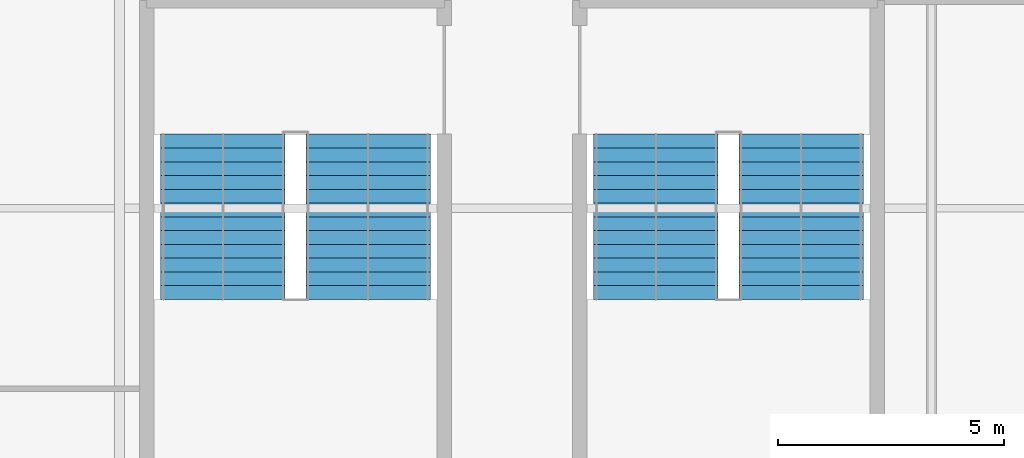
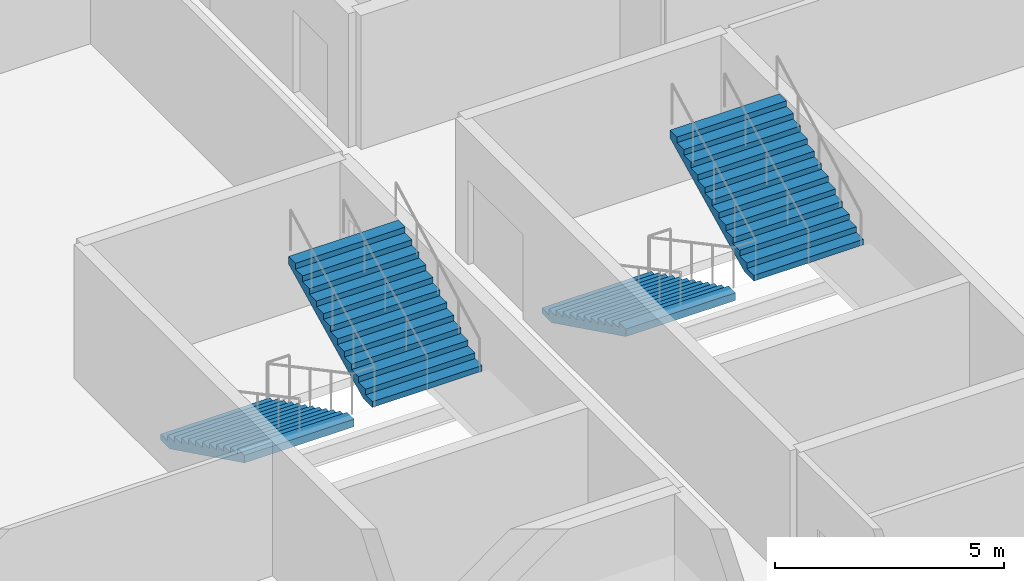
# One storey, part 46 of 55: 4 stair flights, 2 elements without a shape of their own.
"""IFC4 building model written with IfcOpenShell, lengths in metres."""

from ifc_helpers import new_model, si_unit, direction, frame, origin, place, context, subcontext, project, spatial, polygons, material, type_object, element, aggregate, save


model = new_model("IFC4")

# Units and contexts
model_context = context("Model", 3, precision=1e-05, world=origin(), true_north=direction((0.0, 1.0)))
body_context = subcontext(model_context, "Body", "Model", "MODEL_VIEW")
ifc_project = project(units=[si_unit("LENGTHUNIT", "METRE"), si_unit("AREAUNIT", "SQUARE_METRE"), si_unit("VOLUMEUNIT", "CUBIC_METRE"), si_unit("PLANEANGLEUNIT", "RADIAN"), si_unit("MASSUNIT", "GRAM", prefix="KILO")], contexts=[model_context])

# Site, building, storey
site_placement = place(None, origin())
site = spatial("IfcSite", under=ifc_project, at=site_placement, CompositionType="ELEMENT")
building_placement = place(site_placement, origin())
building = spatial("IfcBuilding", under=site, at=building_placement, Name="Kisiwana Market Hall", CompositionType="ELEMENT")
storey_placement = place(building_placement, frame((0.0, 0.0, 37.800048828125)))
storey = spatial("IfcBuildingStorey", under=building, at=storey_placement, Name="L08", CompositionType="ELEMENT", Elevation=37.800048828125)

# Stair, stair flights
ifc_material_1 = material(Name="Concrete C32/40", Category="concrete")
stair_type = type_object("IfcStairType", Name="ST-ESC-3900", PredefinedType="TWO_STRAIGHT_RUN_STAIR", material=ifc_material_1)
stair_1_placement = place(storey_placement, origin())
stair_1 = element("IfcStair", 1, at=stair_1_placement, inside=storey, type_object=stair_type, Name="Escape stair ST-E4-L08", PredefinedType="TWO_STRAIGHT_RUN_STAIR")
ifc_material_2 = material(Name="Concrete C32/40", Category="concrete")
stair_flight_type = type_object("IfcStairFlightType", Name="SF-ESC-3900", PredefinedType="STRAIGHT", material=ifc_material_2)
stair_flight_1_placement = place(storey_placement, frame((182.889892578125, 77.639892578125, 0.0), z_axis=(0.0, 0.0, 1.0), x_axis=(0.0, -1.0, 0.0)))
stair_flight_1 = element("IfcStairFlight", 2, at=stair_flight_1_placement, type_object=stair_flight_type, Name="ST-E4-L08 flight 1", NumberOfRisers=13, NumberOfTreads=12, PredefinedType="STRAIGHT", RiserHeight=0.15, TreadLength=0.305, context=body_context, shape_type="Tessellation", body=[
    polygons([(0.0, -1.380127, 0.0), (0.0, -0.690125, 0.0), (0.0, -0.000122, 0.0), (0.0, 0.68988, 0.0), (0.0, 1.379883, 0.0), (0.0, -1.380127, 0.149902), (0.0, -0.690125, 0.149902), (0.0, -0.000122, 0.149902), (0.0, 0.68988, 0.149902), (0.0, 1.379883, 0.149902), (0.304932, -1.380127, 0.149902), (0.304932, -0.690125, 0.149902), (0.304932, -0.000122, 0.149902), (0.304932, 0.68988, 0.149902), (0.304932, 1.379883, 0.149902), (0.304932, -1.380127, 0.300049), (0.304932, -0.690125, 0.300049), (0.304932, -0.000122, 0.300049), (0.304932, 0.68988, 0.300049), (0.304932, 1.379883, 0.300049), (0.610107, -1.380127, 0.300049), (0.610107, -0.690125, 0.300049), (0.610107, -0.000122, 0.300049), (0.610107, 0.68988, 0.300049), (0.610107, 1.379883, 0.300049), (0.610107, -1.380127, 0.449951), (0.610107, -0.690125, 0.449951), (0.610107, -0.000122, 0.449951), (0.610107, 0.68988, 0.449951), (0.610107, 1.379883, 0.449951), (0.915039, -1.380127, 0.449951), (0.915039, -0.690125, 0.449951), (0.915039, -0.000122, 0.449951), (0.915039, 0.68988, 0.449951), (0.915039, 1.379883, 0.449951), (0.915039, -1.380127, 0.600098), (0.915039, -0.690125, 0.600098), (0.915039, -0.000122, 0.600098), (0.915039, 0.68988, 0.600098), (0.915039, 1.379883, 0.600098), (1.219971, -1.380127, 0.600098), (1.219971, -0.690125, 0.600098), (1.219971, -0.000122, 0.600098), (1.219971, 0.68988, 0.600098), (1.219971, 1.379883, 0.600098), (1.219971, -1.380127, 0.75), (1.219971, -0.690125, 0.75), (1.219971, -0.000122, 0.75), (1.219971, 0.68988, 0.75), (1.219971, 1.379883, 0.75), (1.524902, -1.380127, 0.75), (1.524902, -0.690125, 0.75), (1.524902, -0.000122, 0.75), (1.524902, 0.68988, 0.75), (1.524902, 1.379883, 0.75), (1.524902, -1.380127, 0.899902), (1.524902, -0.690125, 0.899902), (1.524902, -0.000122, 0.899902), (1.524902, 0.68988, 0.899902), (1.524902, 1.379883, 0.899902), (1.830078, -1.380127, 0.899902), (1.830078, -0.690125, 0.899902), (1.830078, -0.000122, 0.899902), (1.830078, 0.68988, 0.899902), (1.830078, 1.379883, 0.899902), (1.830078, -1.380127, 1.050049), (1.830078, -0.690125, 1.050049), (1.830078, -0.000122, 1.050049), (1.830078, 0.68988, 1.050049), (1.830078, 1.379883, 1.050049), (2.13501, -1.380127, 1.050049), (2.13501, -0.690125, 1.050049), (2.13501, -0.000122, 1.050049), (2.13501, 0.68988, 1.050049), (2.13501, 1.379883, 1.050049), (2.13501, -1.380127, 1.199951), (2.13501, -0.690125, 1.199951), (2.13501, -0.000122, 1.199951), (2.13501, 0.68988, 1.199951), (2.13501, 1.379883, 1.199951), (2.439941, -1.380127, 1.199951), (2.439941, -0.690125, 1.199951), (2.439941, -0.000122, 1.199951), (2.439941, 0.68988, 1.199951), (2.439941, 1.379883, 1.199951), (2.439941, -1.380127, 1.350098), (2.439941, -0.690125, 1.350098), (2.439941, -0.000122, 1.350098), (2.439941, 0.68988, 1.350098), (2.439941, 1.379883, 1.350098), (2.745117, -1.380127, 1.350098), (2.745117, -0.690125, 1.350098), (2.745117, -0.000122, 1.350098), (2.745117, 0.68988, 1.350098), (2.745117, 1.379883, 1.350098), (2.745117, -1.380127, 1.5), (2.745117, -0.690125, 1.5), (2.745117, -0.000122, 1.5), (2.745117, 0.68988, 1.5), (2.745117, 1.379883, 1.5), (3.050049, -1.380127, 1.5), (3.050049, -0.690125, 1.5), (3.050049, -0.000122, 1.5), (3.050049, 0.68988, 1.5), (3.050049, 1.379883, 1.5), (3.050049, -1.380127, 1.649902), (3.050049, -0.690125, 1.649902), (3.050049, -0.000122, 1.649902), (3.050049, 0.68988, 1.649902), (3.050049, 1.379883, 1.649902), (3.35498, -1.380127, 1.649902), (3.35498, -0.690125, 1.649902), (3.35498, -0.000122, 1.649902), (3.35498, 0.68988, 1.649902), (3.35498, 1.379883, 1.649902), (3.35498, -1.380127, 1.800049), (3.35498, -0.690125, 1.800049), (3.35498, -0.000122, 1.800049), (3.35498, 0.68988, 1.800049), (3.35498, 1.379883, 1.800049), (3.659912, -1.380127, 1.800049), (3.659912, -0.690125, 1.800049), (3.659912, -0.000122, 1.800049), (3.659912, 0.68988, 1.800049), (3.659912, 1.379883, 1.800049), (3.659912, -1.380127, 1.599365), (3.659912, -0.690125, 1.599365), (3.659912, -0.000122, 1.599365), (3.659912, 0.68988, 1.599365), (3.659912, 1.379883, 1.599365), (0.407715, -1.380127, 0.0), (0.407715, -0.690125, 0.0), (0.407715, -0.000122, 0.0), (0.407715, 0.68988, 0.0), (0.407715, 1.379883, 0.0)], [[[1, 6, 7, 2]], [[2, 7, 8, 3]], [[3, 8, 9, 4]], [[4, 9, 10, 5]], [[6, 11, 12, 7]], [[7, 12, 13, 8]], [[8, 13, 14, 9]], [[9, 14, 15, 10]], [[11, 16, 17, 12]], [[12, 17, 18, 13]], [[13, 18, 19, 14]], [[14, 19, 20, 15]], [[16, 21, 22, 17]], [[17, 22, 23, 18]], [[18, 23, 24, 19]], [[19, 24, 25, 20]], [[21, 26, 27, 22]], [[22, 27, 28, 23]], [[23, 28, 29, 24]], [[24, 29, 30, 25]], [[26, 31, 32, 27]], [[27, 32, 33, 28]], [[28, 33, 34, 29]], [[29, 34, 35, 30]], [[31, 36, 37, 32]], [[32, 37, 38, 33]], [[33, 38, 39, 34]], [[34, 39, 40, 35]], [[36, 41, 42, 37]], [[37, 42, 43, 38]], [[38, 43, 44, 39]], [[39, 44, 45, 40]], [[41, 46, 47, 42]], [[42, 47, 48, 43]], [[43, 48, 49, 44]], [[44, 49, 50, 45]], [[46, 51, 52, 47]], [[47, 52, 53, 48]], [[48, 53, 54, 49]], [[49, 54, 55, 50]], [[51, 56, 57, 52]], [[52, 57, 58, 53]], [[53, 58, 59, 54]], [[54, 59, 60, 55]], [[56, 61, 62, 57]], [[57, 62, 63, 58]], [[58, 63, 64, 59]], [[59, 64, 65, 60]], [[61, 66, 67, 62]], [[62, 67, 68, 63]], [[63, 68, 69, 64]], [[64, 69, 70, 65]], [[66, 71, 72, 67]], [[67, 72, 73, 68]], [[68, 73, 74, 69]], [[69, 74, 75, 70]], [[71, 76, 77, 72]], [[72, 77, 78, 73]], [[73, 78, 79, 74]], [[74, 79, 80, 75]], [[76, 81, 82, 77]], [[77, 82, 83, 78]], [[78, 83, 84, 79]], [[79, 84, 85, 80]], [[81, 86, 87, 82]], [[82, 87, 88, 83]], [[83, 88, 89, 84]], [[84, 89, 90, 85]], [[86, 91, 92, 87]], [[87, 92, 93, 88]], [[88, 93, 94, 89]], [[89, 94, 95, 90]], [[91, 96, 97, 92]], [[92, 97, 98, 93]], [[93, 98, 99, 94]], [[94, 99, 100, 95]], [[96, 101, 102, 97]], [[97, 102, 103, 98]], [[98, 103, 104, 99]], [[99, 104, 105, 100]], [[101, 106, 107, 102]], [[102, 107, 108, 103]], [[103, 108, 109, 104]], [[104, 109, 110, 105]], [[106, 111, 112, 107]], [[107, 112, 113, 108]], [[108, 113, 114, 109]], [[109, 114, 115, 110]], [[111, 116, 117, 112]], [[112, 117, 118, 113]], [[113, 118, 119, 114]], [[114, 119, 120, 115]], [[116, 121, 122, 117]], [[117, 122, 123, 118]], [[118, 123, 124, 119]], [[119, 124, 125, 120]], [[121, 126, 127, 122]], [[122, 127, 128, 123]], [[123, 128, 129, 124]], [[124, 129, 130, 125]], [[126, 131, 132, 127]], [[127, 132, 133, 128]], [[128, 133, 134, 129]], [[129, 134, 135, 130]], [[131, 1, 2, 132]], [[132, 2, 3, 133]], [[133, 3, 4, 134]], [[134, 4, 5, 135]], [[131, 126, 121, 116, 111, 106, 101, 96, 91, 86, 81, 76, 71, 66, 61, 56, 51, 46, 41, 36, 31, 26, 21, 16, 11, 6, 1]], [[5, 10, 15, 20, 25, 30, 35, 40, 45, 50, 55, 60, 65, 70, 75, 80, 85, 90, 95, 100, 105, 110, 115, 120, 125, 130, 135]]], closed=True),
])
stair_flight_2_placement = place(storey_placement, frame((186.110107421875, 73.97998046875, 1.949951171875), z_axis=(0.0, 0.0, 1.0), x_axis=(0.0, 1.0, 0.0)))
stair_flight_2 = element("IfcStairFlight", 3, at=stair_flight_2_placement, type_object=stair_flight_type, Name="ST-E4-L08 flight 2", NumberOfRisers=13, NumberOfTreads=12, PredefinedType="STRAIGHT", RiserHeight=0.15, TreadLength=0.305, context=body_context, shape_type="Tessellation", body=[
    polygons([(0.0, -1.380127, 0.0), (0.0, -0.690125, 0.0), (0.0, -0.000122, 0.0), (0.0, 0.68988, 0.0), (0.0, 1.379883, 0.0), (0.0, -1.380127, 0.149902), (0.0, -0.690125, 0.149902), (0.0, -0.000122, 0.149902), (0.0, 0.68988, 0.149902), (0.0, 1.379883, 0.149902), (0.304932, -1.380127, 0.149902), (0.304932, -0.690125, 0.149902), (0.304932, -0.000122, 0.149902), (0.304932, 0.68988, 0.149902), (0.304932, 1.379883, 0.149902), (0.304932, -1.380127, 0.300049), (0.304932, -0.690125, 0.300049), (0.304932, -0.000122, 0.300049), (0.304932, 0.68988, 0.300049), (0.304932, 1.379883, 0.300049), (0.610107, -1.380127, 0.300049), (0.610107, -0.690125, 0.300049), (0.610107, -0.000122, 0.300049), (0.610107, 0.68988, 0.300049), (0.610107, 1.379883, 0.300049), (0.610107, -1.380127, 0.449951), (0.610107, -0.690125, 0.449951), (0.610107, -0.000122, 0.449951), (0.610107, 0.68988, 0.449951), (0.610107, 1.379883, 0.449951), (0.915039, -1.380127, 0.449951), (0.915039, -0.690125, 0.449951), (0.915039, -0.000122, 0.449951), (0.915039, 0.68988, 0.449951), (0.915039, 1.379883, 0.449951), (0.915039, -1.380127, 0.600098), (0.915039, -0.690125, 0.600098), (0.915039, -0.000122, 0.600098), (0.915039, 0.68988, 0.600098), (0.915039, 1.379883, 0.600098), (1.219971, -1.380127, 0.600098), (1.219971, -0.690125, 0.600098), (1.219971, -0.000122, 0.600098), (1.219971, 0.68988, 0.600098), (1.219971, 1.379883, 0.600098), (1.219971, -1.380127, 0.75), (1.219971, -0.690125, 0.75), (1.219971, -0.000122, 0.75), (1.219971, 0.68988, 0.75), (1.219971, 1.379883, 0.75), (1.524902, -1.380127, 0.75), (1.524902, -0.690125, 0.75), (1.524902, -0.000122, 0.75), (1.524902, 0.68988, 0.75), (1.524902, 1.379883, 0.75), (1.524902, -1.380127, 0.899902), (1.524902, -0.690125, 0.899902), (1.524902, -0.000122, 0.899902), (1.524902, 0.68988, 0.899902), (1.524902, 1.379883, 0.899902), (1.830078, -1.380127, 0.899902), (1.830078, -0.690125, 0.899902), (1.830078, -0.000122, 0.899902), (1.830078, 0.68988, 0.899902), (1.830078, 1.379883, 0.899902), (1.830078, -1.380127, 1.050049), (1.830078, -0.690125, 1.050049), (1.830078, -0.000122, 1.050049), (1.830078, 0.68988, 1.050049), (1.830078, 1.379883, 1.050049), (2.13501, -1.380127, 1.050049), (2.13501, -0.690125, 1.050049), (2.13501, -0.000122, 1.050049), (2.13501, 0.68988, 1.050049), (2.13501, 1.379883, 1.050049), (2.13501, -1.380127, 1.199951), (2.13501, -0.690125, 1.199951), (2.13501, -0.000122, 1.199951), (2.13501, 0.68988, 1.199951), (2.13501, 1.379883, 1.199951), (2.439941, -1.380127, 1.199951), (2.439941, -0.690125, 1.199951), (2.439941, -0.000122, 1.199951), (2.439941, 0.68988, 1.199951), (2.439941, 1.379883, 1.199951), (2.439941, -1.380127, 1.350098), (2.439941, -0.690125, 1.350098), (2.439941, -0.000122, 1.350098), (2.439941, 0.68988, 1.350098), (2.439941, 1.379883, 1.350098), (2.745117, -1.380127, 1.350098), (2.745117, -0.690125, 1.350098), (2.745117, -0.000122, 1.350098), (2.745117, 0.68988, 1.350098), (2.745117, 1.379883, 1.350098), (2.745117, -1.380127, 1.5), (2.745117, -0.690125, 1.5), (2.745117, -0.000122, 1.5), (2.745117, 0.68988, 1.5), (2.745117, 1.379883, 1.5), (3.050049, -1.380127, 1.5), (3.050049, -0.690125, 1.5), (3.050049, -0.000122, 1.5), (3.050049, 0.68988, 1.5), (3.050049, 1.379883, 1.5), (3.050049, -1.380127, 1.649902), (3.050049, -0.690125, 1.649902), (3.050049, -0.000122, 1.649902), (3.050049, 0.68988, 1.649902), (3.050049, 1.379883, 1.649902), (3.35498, -1.380127, 1.649902), (3.35498, -0.690125, 1.649902), (3.35498, -0.000122, 1.649902), (3.35498, 0.68988, 1.649902), (3.35498, 1.379883, 1.649902), (3.35498, -1.380127, 1.800049), (3.35498, -0.690125, 1.800049), (3.35498, -0.000122, 1.800049), (3.35498, 0.68988, 1.800049), (3.35498, 1.379883, 1.800049), (3.659912, -1.380127, 1.800049), (3.659912, -0.690125, 1.800049), (3.659912, -0.000122, 1.800049), (3.659912, 0.68988, 1.800049), (3.659912, 1.379883, 1.800049), (3.659912, -1.380127, 1.599365), (3.659912, -0.690125, 1.599365), (3.659912, -0.000122, 1.599365), (3.659912, 0.68988, 1.599365), (3.659912, 1.379883, 1.599365), (0.407715, -1.380127, 0.0), (0.407715, -0.690125, 0.0), (0.407715, -0.000122, 0.0), (0.407715, 0.68988, 0.0), (0.407715, 1.379883, 0.0)], [[[1, 6, 7, 2]], [[2, 7, 8, 3]], [[3, 8, 9, 4]], [[4, 9, 10, 5]], [[6, 11, 12, 7]], [[7, 12, 13, 8]], [[8, 13, 14, 9]], [[9, 14, 15, 10]], [[11, 16, 17, 12]], [[12, 17, 18, 13]], [[13, 18, 19, 14]], [[14, 19, 20, 15]], [[16, 21, 22, 17]], [[17, 22, 23, 18]], [[18, 23, 24, 19]], [[19, 24, 25, 20]], [[21, 26, 27, 22]], [[22, 27, 28, 23]], [[23, 28, 29, 24]], [[24, 29, 30, 25]], [[26, 31, 32, 27]], [[27, 32, 33, 28]], [[28, 33, 34, 29]], [[29, 34, 35, 30]], [[31, 36, 37, 32]], [[32, 37, 38, 33]], [[33, 38, 39, 34]], [[34, 39, 40, 35]], [[36, 41, 42, 37]], [[37, 42, 43, 38]], [[38, 43, 44, 39]], [[39, 44, 45, 40]], [[41, 46, 47, 42]], [[42, 47, 48, 43]], [[43, 48, 49, 44]], [[44, 49, 50, 45]], [[46, 51, 52, 47]], [[47, 52, 53, 48]], [[48, 53, 54, 49]], [[49, 54, 55, 50]], [[51, 56, 57, 52]], [[52, 57, 58, 53]], [[53, 58, 59, 54]], [[54, 59, 60, 55]], [[56, 61, 62, 57]], [[57, 62, 63, 58]], [[58, 63, 64, 59]], [[59, 64, 65, 60]], [[61, 66, 67, 62]], [[62, 67, 68, 63]], [[63, 68, 69, 64]], [[64, 69, 70, 65]], [[66, 71, 72, 67]], [[67, 72, 73, 68]], [[68, 73, 74, 69]], [[69, 74, 75, 70]], [[71, 76, 77, 72]], [[72, 77, 78, 73]], [[73, 78, 79, 74]], [[74, 79, 80, 75]], [[76, 81, 82, 77]], [[77, 82, 83, 78]], [[78, 83, 84, 79]], [[79, 84, 85, 80]], [[81, 86, 87, 82]], [[82, 87, 88, 83]], [[83, 88, 89, 84]], [[84, 89, 90, 85]], [[86, 91, 92, 87]], [[87, 92, 93, 88]], [[88, 93, 94, 89]], [[89, 94, 95, 90]], [[91, 96, 97, 92]], [[92, 97, 98, 93]], [[93, 98, 99, 94]], [[94, 99, 100, 95]], [[96, 101, 102, 97]], [[97, 102, 103, 98]], [[98, 103, 104, 99]], [[99, 104, 105, 100]], [[101, 106, 107, 102]], [[102, 107, 108, 103]], [[103, 108, 109, 104]], [[104, 109, 110, 105]], [[106, 111, 112, 107]], [[107, 112, 113, 108]], [[108, 113, 114, 109]], [[109, 114, 115, 110]], [[111, 116, 117, 112]], [[112, 117, 118, 113]], [[113, 118, 119, 114]], [[114, 119, 120, 115]], [[116, 121, 122, 117]], [[117, 122, 123, 118]], [[118, 123, 124, 119]], [[119, 124, 125, 120]], [[121, 126, 127, 122]], [[122, 127, 128, 123]], [[123, 128, 129, 124]], [[124, 129, 130, 125]], [[126, 131, 132, 127]], [[127, 132, 133, 128]], [[128, 133, 134, 129]], [[129, 134, 135, 130]], [[131, 1, 2, 132]], [[132, 2, 3, 133]], [[133, 3, 4, 134]], [[134, 4, 5, 135]], [[131, 126, 121, 116, 111, 106, 101, 96, 91, 86, 81, 76, 71, 66, 61, 56, 51, 46, 41, 36, 31, 26, 21, 16, 11, 6, 1]], [[5, 10, 15, 20, 25, 30, 35, 40, 45, 50, 55, 60, 65, 70, 75, 80, 85, 90, 95, 100, 105, 110, 115, 120, 125, 130, 135]]], closed=True),
])
aggregate(stair_1, [stair_flight_1, stair_flight_2])

stair_2_placement = place(storey_placement, origin())
stair_2 = element("IfcStair", 4, at=stair_2_placement, inside=storey, type_object=stair_type, Name="Escape stair ST-E8-L08", PredefinedType="TWO_STRAIGHT_RUN_STAIR")
stair_flight_3_placement = place(storey_placement, frame((173.2900390625, 77.639892578125, 0.0), z_axis=(0.0, 0.0, 1.0), x_axis=(0.0, -1.0, 0.0)))
stair_flight_3 = element("IfcStairFlight", 5, at=stair_flight_3_placement, type_object=stair_flight_type, Name="ST-E8-L08 flight 1", NumberOfRisers=13, NumberOfTreads=12, PredefinedType="STRAIGHT", RiserHeight=0.15, TreadLength=0.305, context=body_context, shape_type="Tessellation", body=[
    polygons([(0.0, -1.380127, 0.0), (0.0, -0.690125, 0.0), (0.0, -0.000122, 0.0), (0.0, 0.68988, 0.0), (0.0, 1.379883, 0.0), (0.0, -1.380127, 0.149902), (0.0, -0.690125, 0.149902), (0.0, -0.000122, 0.149902), (0.0, 0.68988, 0.149902), (0.0, 1.379883, 0.149902), (0.304932, -1.380127, 0.149902), (0.304932, -0.690125, 0.149902), (0.304932, -0.000122, 0.149902), (0.304932, 0.68988, 0.149902), (0.304932, 1.379883, 0.149902), (0.304932, -1.380127, 0.300049), (0.304932, -0.690125, 0.300049), (0.304932, -0.000122, 0.300049), (0.304932, 0.68988, 0.300049), (0.304932, 1.379883, 0.300049), (0.610107, -1.380127, 0.300049), (0.610107, -0.690125, 0.300049), (0.610107, -0.000122, 0.300049), (0.610107, 0.68988, 0.300049), (0.610107, 1.379883, 0.300049), (0.610107, -1.380127, 0.449951), (0.610107, -0.690125, 0.449951), (0.610107, -0.000122, 0.449951), (0.610107, 0.68988, 0.449951), (0.610107, 1.379883, 0.449951), (0.915039, -1.380127, 0.449951), (0.915039, -0.690125, 0.449951), (0.915039, -0.000122, 0.449951), (0.915039, 0.68988, 0.449951), (0.915039, 1.379883, 0.449951), (0.915039, -1.380127, 0.600098), (0.915039, -0.690125, 0.600098), (0.915039, -0.000122, 0.600098), (0.915039, 0.68988, 0.600098), (0.915039, 1.379883, 0.600098), (1.219971, -1.380127, 0.600098), (1.219971, -0.690125, 0.600098), (1.219971, -0.000122, 0.600098), (1.219971, 0.68988, 0.600098), (1.219971, 1.379883, 0.600098), (1.219971, -1.380127, 0.75), (1.219971, -0.690125, 0.75), (1.219971, -0.000122, 0.75), (1.219971, 0.68988, 0.75), (1.219971, 1.379883, 0.75), (1.524902, -1.380127, 0.75), (1.524902, -0.690125, 0.75), (1.524902, -0.000122, 0.75), (1.524902, 0.68988, 0.75), (1.524902, 1.379883, 0.75), (1.524902, -1.380127, 0.899902), (1.524902, -0.690125, 0.899902), (1.524902, -0.000122, 0.899902), (1.524902, 0.68988, 0.899902), (1.524902, 1.379883, 0.899902), (1.830078, -1.380127, 0.899902), (1.830078, -0.690125, 0.899902), (1.830078, -0.000122, 0.899902), (1.830078, 0.68988, 0.899902), (1.830078, 1.379883, 0.899902), (1.830078, -1.380127, 1.050049), (1.830078, -0.690125, 1.050049), (1.830078, -0.000122, 1.050049), (1.830078, 0.68988, 1.050049), (1.830078, 1.379883, 1.050049), (2.13501, -1.380127, 1.050049), (2.13501, -0.690125, 1.050049), (2.13501, -0.000122, 1.050049), (2.13501, 0.68988, 1.050049), (2.13501, 1.379883, 1.050049), (2.13501, -1.380127, 1.199951), (2.13501, -0.690125, 1.199951), (2.13501, -0.000122, 1.199951), (2.13501, 0.68988, 1.199951), (2.13501, 1.379883, 1.199951), (2.439941, -1.380127, 1.199951), (2.439941, -0.690125, 1.199951), (2.439941, -0.000122, 1.199951), (2.439941, 0.68988, 1.199951), (2.439941, 1.379883, 1.199951), (2.439941, -1.380127, 1.350098), (2.439941, -0.690125, 1.350098), (2.439941, -0.000122, 1.350098), (2.439941, 0.68988, 1.350098), (2.439941, 1.379883, 1.350098), (2.745117, -1.380127, 1.350098), (2.745117, -0.690125, 1.350098), (2.745117, -0.000122, 1.350098), (2.745117, 0.68988, 1.350098), (2.745117, 1.379883, 1.350098), (2.745117, -1.380127, 1.5), (2.745117, -0.690125, 1.5), (2.745117, -0.000122, 1.5), (2.745117, 0.68988, 1.5), (2.745117, 1.379883, 1.5), (3.050049, -1.380127, 1.5), (3.050049, -0.690125, 1.5), (3.050049, -0.000122, 1.5), (3.050049, 0.68988, 1.5), (3.050049, 1.379883, 1.5), (3.050049, -1.380127, 1.649902), (3.050049, -0.690125, 1.649902), (3.050049, -0.000122, 1.649902), (3.050049, 0.68988, 1.649902), (3.050049, 1.379883, 1.649902), (3.35498, -1.380127, 1.649902), (3.35498, -0.690125, 1.649902), (3.35498, -0.000122, 1.649902), (3.35498, 0.68988, 1.649902), (3.35498, 1.379883, 1.649902), (3.35498, -1.380127, 1.800049), (3.35498, -0.690125, 1.800049), (3.35498, -0.000122, 1.800049), (3.35498, 0.68988, 1.800049), (3.35498, 1.379883, 1.800049), (3.659912, -1.380127, 1.800049), (3.659912, -0.690125, 1.800049), (3.659912, -0.000122, 1.800049), (3.659912, 0.68988, 1.800049), (3.659912, 1.379883, 1.800049), (3.659912, -1.380127, 1.599365), (3.659912, -0.690125, 1.599365), (3.659912, -0.000122, 1.599365), (3.659912, 0.68988, 1.599365), (3.659912, 1.379883, 1.599365), (0.407715, -1.380127, 0.0), (0.407715, -0.690125, 0.0), (0.407715, -0.000122, 0.0), (0.407715, 0.68988, 0.0), (0.407715, 1.379883, 0.0)], [[[1, 6, 7, 2]], [[2, 7, 8, 3]], [[3, 8, 9, 4]], [[4, 9, 10, 5]], [[6, 11, 12, 7]], [[7, 12, 13, 8]], [[8, 13, 14, 9]], [[9, 14, 15, 10]], [[11, 16, 17, 12]], [[12, 17, 18, 13]], [[13, 18, 19, 14]], [[14, 19, 20, 15]], [[16, 21, 22, 17]], [[17, 22, 23, 18]], [[18, 23, 24, 19]], [[19, 24, 25, 20]], [[21, 26, 27, 22]], [[22, 27, 28, 23]], [[23, 28, 29, 24]], [[24, 29, 30, 25]], [[26, 31, 32, 27]], [[27, 32, 33, 28]], [[28, 33, 34, 29]], [[29, 34, 35, 30]], [[31, 36, 37, 32]], [[32, 37, 38, 33]], [[33, 38, 39, 34]], [[34, 39, 40, 35]], [[36, 41, 42, 37]], [[37, 42, 43, 38]], [[38, 43, 44, 39]], [[39, 44, 45, 40]], [[41, 46, 47, 42]], [[42, 47, 48, 43]], [[43, 48, 49, 44]], [[44, 49, 50, 45]], [[46, 51, 52, 47]], [[47, 52, 53, 48]], [[48, 53, 54, 49]], [[49, 54, 55, 50]], [[51, 56, 57, 52]], [[52, 57, 58, 53]], [[53, 58, 59, 54]], [[54, 59, 60, 55]], [[56, 61, 62, 57]], [[57, 62, 63, 58]], [[58, 63, 64, 59]], [[59, 64, 65, 60]], [[61, 66, 67, 62]], [[62, 67, 68, 63]], [[63, 68, 69, 64]], [[64, 69, 70, 65]], [[66, 71, 72, 67]], [[67, 72, 73, 68]], [[68, 73, 74, 69]], [[69, 74, 75, 70]], [[71, 76, 77, 72]], [[72, 77, 78, 73]], [[73, 78, 79, 74]], [[74, 79, 80, 75]], [[76, 81, 82, 77]], [[77, 82, 83, 78]], [[78, 83, 84, 79]], [[79, 84, 85, 80]], [[81, 86, 87, 82]], [[82, 87, 88, 83]], [[83, 88, 89, 84]], [[84, 89, 90, 85]], [[86, 91, 92, 87]], [[87, 92, 93, 88]], [[88, 93, 94, 89]], [[89, 94, 95, 90]], [[91, 96, 97, 92]], [[92, 97, 98, 93]], [[93, 98, 99, 94]], [[94, 99, 100, 95]], [[96, 101, 102, 97]], [[97, 102, 103, 98]], [[98, 103, 104, 99]], [[99, 104, 105, 100]], [[101, 106, 107, 102]], [[102, 107, 108, 103]], [[103, 108, 109, 104]], [[104, 109, 110, 105]], [[106, 111, 112, 107]], [[107, 112, 113, 108]], [[108, 113, 114, 109]], [[109, 114, 115, 110]], [[111, 116, 117, 112]], [[112, 117, 118, 113]], [[113, 118, 119, 114]], [[114, 119, 120, 115]], [[116, 121, 122, 117]], [[117, 122, 123, 118]], [[118, 123, 124, 119]], [[119, 124, 125, 120]], [[121, 126, 127, 122]], [[122, 127, 128, 123]], [[123, 128, 129, 124]], [[124, 129, 130, 125]], [[126, 131, 132, 127]], [[127, 132, 133, 128]], [[128, 133, 134, 129]], [[129, 134, 135, 130]], [[131, 1, 2, 132]], [[132, 2, 3, 133]], [[133, 3, 4, 134]], [[134, 4, 5, 135]], [[131, 126, 121, 116, 111, 106, 101, 96, 91, 86, 81, 76, 71, 66, 61, 56, 51, 46, 41, 36, 31, 26, 21, 16, 11, 6, 1]], [[5, 10, 15, 20, 25, 30, 35, 40, 45, 50, 55, 60, 65, 70, 75, 80, 85, 90, 95, 100, 105, 110, 115, 120, 125, 130, 135]]], closed=True),
])
stair_flight_4_placement = place(storey_placement, frame((176.510009765625, 73.97998046875, 1.949951171875), z_axis=(0.0, 0.0, 1.0), x_axis=(0.0, 1.0, 0.0)))
stair_flight_4 = element("IfcStairFlight", 6, at=stair_flight_4_placement, type_object=stair_flight_type, Name="ST-E8-L08 flight 2", NumberOfRisers=13, NumberOfTreads=12, PredefinedType="STRAIGHT", RiserHeight=0.15, TreadLength=0.305, context=body_context, shape_type="Tessellation", body=[
    polygons([(0.0, -1.380127, 0.0), (0.0, -0.690125, 0.0), (0.0, -0.000122, 0.0), (0.0, 0.68988, 0.0), (0.0, 1.379883, 0.0), (0.0, -1.380127, 0.149902), (0.0, -0.690125, 0.149902), (0.0, -0.000122, 0.149902), (0.0, 0.68988, 0.149902), (0.0, 1.379883, 0.149902), (0.304932, -1.380127, 0.149902), (0.304932, -0.690125, 0.149902), (0.304932, -0.000122, 0.149902), (0.304932, 0.68988, 0.149902), (0.304932, 1.379883, 0.149902), (0.304932, -1.380127, 0.300049), (0.304932, -0.690125, 0.300049), (0.304932, -0.000122, 0.300049), (0.304932, 0.68988, 0.300049), (0.304932, 1.379883, 0.300049), (0.610107, -1.380127, 0.300049), (0.610107, -0.690125, 0.300049), (0.610107, -0.000122, 0.300049), (0.610107, 0.68988, 0.300049), (0.610107, 1.379883, 0.300049), (0.610107, -1.380127, 0.449951), (0.610107, -0.690125, 0.449951), (0.610107, -0.000122, 0.449951), (0.610107, 0.68988, 0.449951), (0.610107, 1.379883, 0.449951), (0.915039, -1.380127, 0.449951), (0.915039, -0.690125, 0.449951), (0.915039, -0.000122, 0.449951), (0.915039, 0.68988, 0.449951), (0.915039, 1.379883, 0.449951), (0.915039, -1.380127, 0.600098), (0.915039, -0.690125, 0.600098), (0.915039, -0.000122, 0.600098), (0.915039, 0.68988, 0.600098), (0.915039, 1.379883, 0.600098), (1.219971, -1.380127, 0.600098), (1.219971, -0.690125, 0.600098), (1.219971, -0.000122, 0.600098), (1.219971, 0.68988, 0.600098), (1.219971, 1.379883, 0.600098), (1.219971, -1.380127, 0.75), (1.219971, -0.690125, 0.75), (1.219971, -0.000122, 0.75), (1.219971, 0.68988, 0.75), (1.219971, 1.379883, 0.75), (1.524902, -1.380127, 0.75), (1.524902, -0.690125, 0.75), (1.524902, -0.000122, 0.75), (1.524902, 0.68988, 0.75), (1.524902, 1.379883, 0.75), (1.524902, -1.380127, 0.899902), (1.524902, -0.690125, 0.899902), (1.524902, -0.000122, 0.899902), (1.524902, 0.68988, 0.899902), (1.524902, 1.379883, 0.899902), (1.830078, -1.380127, 0.899902), (1.830078, -0.690125, 0.899902), (1.830078, -0.000122, 0.899902), (1.830078, 0.68988, 0.899902), (1.830078, 1.379883, 0.899902), (1.830078, -1.380127, 1.050049), (1.830078, -0.690125, 1.050049), (1.830078, -0.000122, 1.050049), (1.830078, 0.68988, 1.050049), (1.830078, 1.379883, 1.050049), (2.13501, -1.380127, 1.050049), (2.13501, -0.690125, 1.050049), (2.13501, -0.000122, 1.050049), (2.13501, 0.68988, 1.050049), (2.13501, 1.379883, 1.050049), (2.13501, -1.380127, 1.199951), (2.13501, -0.690125, 1.199951), (2.13501, -0.000122, 1.199951), (2.13501, 0.68988, 1.199951), (2.13501, 1.379883, 1.199951), (2.439941, -1.380127, 1.199951), (2.439941, -0.690125, 1.199951), (2.439941, -0.000122, 1.199951), (2.439941, 0.68988, 1.199951), (2.439941, 1.379883, 1.199951), (2.439941, -1.380127, 1.350098), (2.439941, -0.690125, 1.350098), (2.439941, -0.000122, 1.350098), (2.439941, 0.68988, 1.350098), (2.439941, 1.379883, 1.350098), (2.745117, -1.380127, 1.350098), (2.745117, -0.690125, 1.350098), (2.745117, -0.000122, 1.350098), (2.745117, 0.68988, 1.350098), (2.745117, 1.379883, 1.350098), (2.745117, -1.380127, 1.5), (2.745117, -0.690125, 1.5), (2.745117, -0.000122, 1.5), (2.745117, 0.68988, 1.5), (2.745117, 1.379883, 1.5), (3.050049, -1.380127, 1.5), (3.050049, -0.690125, 1.5), (3.050049, -0.000122, 1.5), (3.050049, 0.68988, 1.5), (3.050049, 1.379883, 1.5), (3.050049, -1.380127, 1.649902), (3.050049, -0.690125, 1.649902), (3.050049, -0.000122, 1.649902), (3.050049, 0.68988, 1.649902), (3.050049, 1.379883, 1.649902), (3.35498, -1.380127, 1.649902), (3.35498, -0.690125, 1.649902), (3.35498, -0.000122, 1.649902), (3.35498, 0.68988, 1.649902), (3.35498, 1.379883, 1.649902), (3.35498, -1.380127, 1.800049), (3.35498, -0.690125, 1.800049), (3.35498, -0.000122, 1.800049), (3.35498, 0.68988, 1.800049), (3.35498, 1.379883, 1.800049), (3.659912, -1.380127, 1.800049), (3.659912, -0.690125, 1.800049), (3.659912, -0.000122, 1.800049), (3.659912, 0.68988, 1.800049), (3.659912, 1.379883, 1.800049), (3.659912, -1.380127, 1.599365), (3.659912, -0.690125, 1.599365), (3.659912, -0.000122, 1.599365), (3.659912, 0.68988, 1.599365), (3.659912, 1.379883, 1.599365), (0.407715, -1.380127, 0.0), (0.407715, -0.690125, 0.0), (0.407715, -0.000122, 0.0), (0.407715, 0.68988, 0.0), (0.407715, 1.379883, 0.0)], [[[1, 6, 7, 2]], [[2, 7, 8, 3]], [[3, 8, 9, 4]], [[4, 9, 10, 5]], [[6, 11, 12, 7]], [[7, 12, 13, 8]], [[8, 13, 14, 9]], [[9, 14, 15, 10]], [[11, 16, 17, 12]], [[12, 17, 18, 13]], [[13, 18, 19, 14]], [[14, 19, 20, 15]], [[16, 21, 22, 17]], [[17, 22, 23, 18]], [[18, 23, 24, 19]], [[19, 24, 25, 20]], [[21, 26, 27, 22]], [[22, 27, 28, 23]], [[23, 28, 29, 24]], [[24, 29, 30, 25]], [[26, 31, 32, 27]], [[27, 32, 33, 28]], [[28, 33, 34, 29]], [[29, 34, 35, 30]], [[31, 36, 37, 32]], [[32, 37, 38, 33]], [[33, 38, 39, 34]], [[34, 39, 40, 35]], [[36, 41, 42, 37]], [[37, 42, 43, 38]], [[38, 43, 44, 39]], [[39, 44, 45, 40]], [[41, 46, 47, 42]], [[42, 47, 48, 43]], [[43, 48, 49, 44]], [[44, 49, 50, 45]], [[46, 51, 52, 47]], [[47, 52, 53, 48]], [[48, 53, 54, 49]], [[49, 54, 55, 50]], [[51, 56, 57, 52]], [[52, 57, 58, 53]], [[53, 58, 59, 54]], [[54, 59, 60, 55]], [[56, 61, 62, 57]], [[57, 62, 63, 58]], [[58, 63, 64, 59]], [[59, 64, 65, 60]], [[61, 66, 67, 62]], [[62, 67, 68, 63]], [[63, 68, 69, 64]], [[64, 69, 70, 65]], [[66, 71, 72, 67]], [[67, 72, 73, 68]], [[68, 73, 74, 69]], [[69, 74, 75, 70]], [[71, 76, 77, 72]], [[72, 77, 78, 73]], [[73, 78, 79, 74]], [[74, 79, 80, 75]], [[76, 81, 82, 77]], [[77, 82, 83, 78]], [[78, 83, 84, 79]], [[79, 84, 85, 80]], [[81, 86, 87, 82]], [[82, 87, 88, 83]], [[83, 88, 89, 84]], [[84, 89, 90, 85]], [[86, 91, 92, 87]], [[87, 92, 93, 88]], [[88, 93, 94, 89]], [[89, 94, 95, 90]], [[91, 96, 97, 92]], [[92, 97, 98, 93]], [[93, 98, 99, 94]], [[94, 99, 100, 95]], [[96, 101, 102, 97]], [[97, 102, 103, 98]], [[98, 103, 104, 99]], [[99, 104, 105, 100]], [[101, 106, 107, 102]], [[102, 107, 108, 103]], [[103, 108, 109, 104]], [[104, 109, 110, 105]], [[106, 111, 112, 107]], [[107, 112, 113, 108]], [[108, 113, 114, 109]], [[109, 114, 115, 110]], [[111, 116, 117, 112]], [[112, 117, 118, 113]], [[113, 118, 119, 114]], [[114, 119, 120, 115]], [[116, 121, 122, 117]], [[117, 122, 123, 118]], [[118, 123, 124, 119]], [[119, 124, 125, 120]], [[121, 126, 127, 122]], [[122, 127, 128, 123]], [[123, 128, 129, 124]], [[124, 129, 130, 125]], [[126, 131, 132, 127]], [[127, 132, 133, 128]], [[128, 133, 134, 129]], [[129, 134, 135, 130]], [[131, 1, 2, 132]], [[132, 2, 3, 133]], [[133, 3, 4, 134]], [[134, 4, 5, 135]], [[131, 126, 121, 116, 111, 106, 101, 96, 91, 86, 81, 76, 71, 66, 61, 56, 51, 46, 41, 36, 31, 26, 21, 16, 11, 6, 1]], [[5, 10, 15, 20, 25, 30, 35, 40, 45, 50, 55, 60, 65, 70, 75, 80, 85, 90, 95, 100, 105, 110, 115, 120, 125, 130, 135]]], closed=True),
])
aggregate(stair_2, [stair_flight_3, stair_flight_4])

save(model, "model.ifc")
